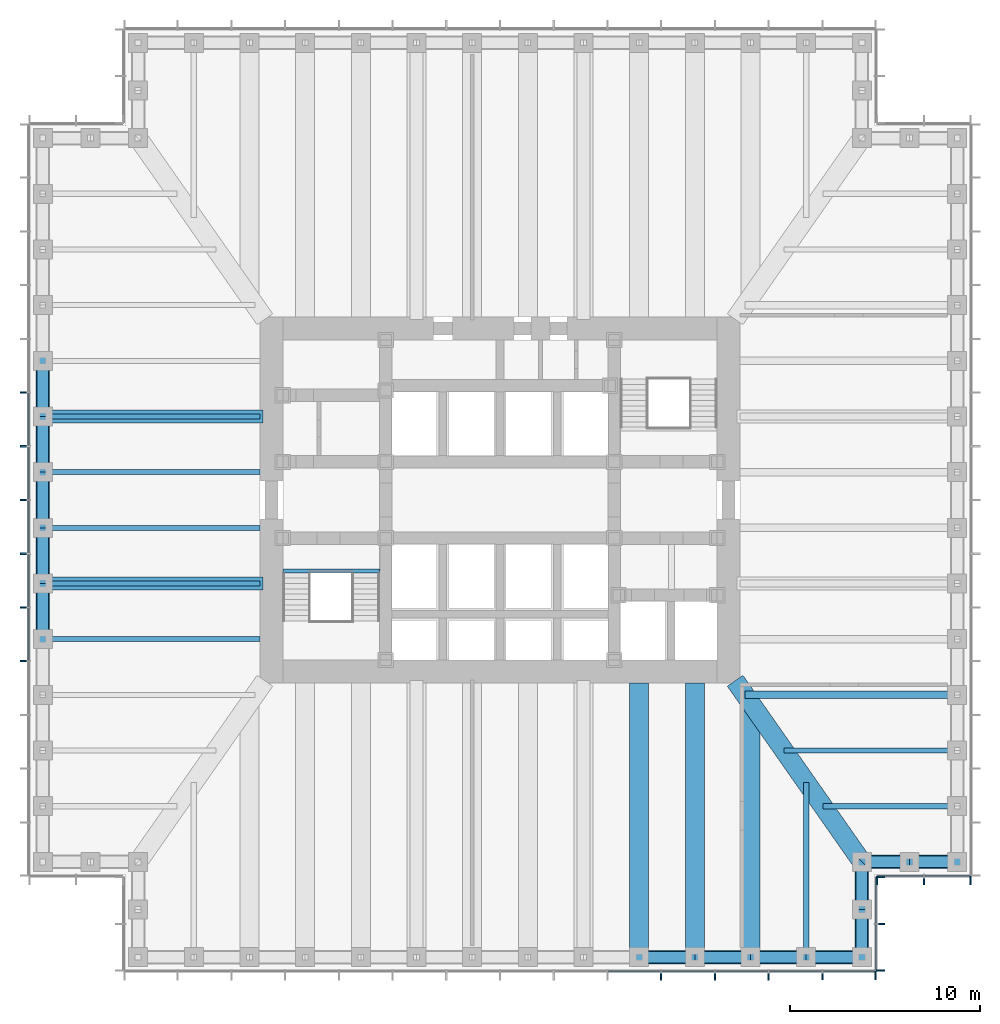
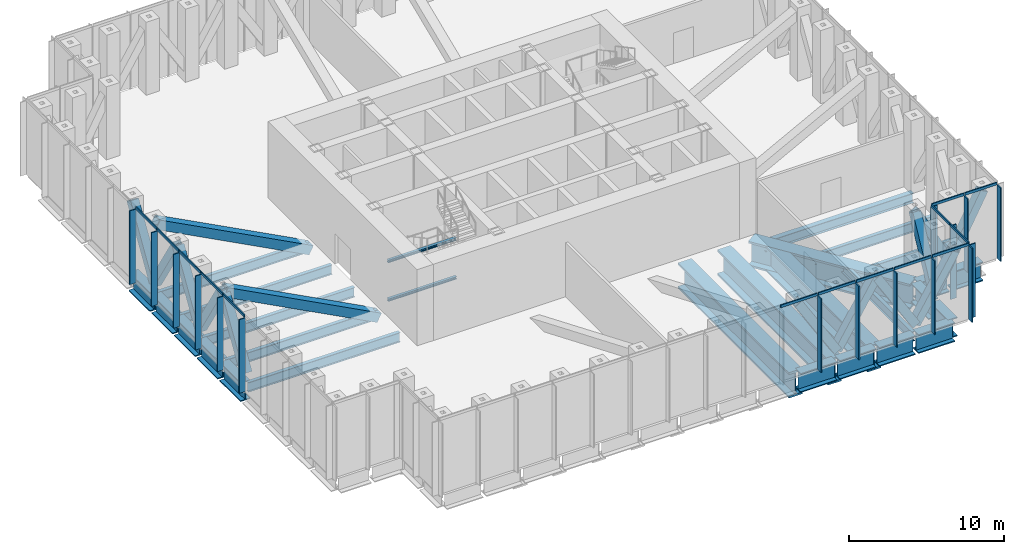
# One storey, part 3 of 15: 46 members, 28 beams, 4 elements without a shape of their own.
"""IFC4 building model written with IfcOpenShell, lengths in metres."""

from ifc_helpers import new_model, si_unit, direction, frame, origin, origin_2d, place, context, subcontext, project, spatial, rectangle, hollow_rectangle, i_section, extrude, material, material_profile, profile_set, type_object, element, aggregate, save


model = new_model("IFC4")

# Units and contexts
model_context = context("Model", 3, precision=1e-05, world=origin(), true_north=direction((0.0, 1.0)))
body_context = subcontext(model_context, "Body", "Model", "MODEL_VIEW")
ifc_project = project(units=[si_unit("LENGTHUNIT", "METRE"), si_unit("AREAUNIT", "SQUARE_METRE"), si_unit("VOLUMEUNIT", "CUBIC_METRE"), si_unit("PLANEANGLEUNIT", "RADIAN"), si_unit("MASSUNIT", "GRAM", prefix="KILO")], contexts=[model_context])

# Site, building, storey
site_placement = place(None, origin())
site = spatial("IfcSite", under=ifc_project, at=site_placement, CompositionType="ELEMENT")
building_placement = place(site_placement, origin())
building = spatial("IfcBuilding", under=site, at=building_placement, Name="Daluyong Arena Tower", CompositionType="ELEMENT")
storey_placement = place(building_placement, frame((0.0, 0.0, 102.10009765625)))
storey = spatial("IfcBuildingStorey", under=building, at=storey_placement, Name="L22", CompositionType="ELEMENT", Elevation=102.10009765625)

# Members
ifc_material_1 = material(Name="Steel ASTM A572 Grade 50", Category="steel")
ifc_material_profile_1 = material_profile(ifc_material_1, hollow_rectangle(XDim=0.60009765625, YDim=0.60009765625, WallThickness=0.05, at=origin_2d()))
ifc_profile_set_1 = profile_set([ifc_material_profile_1], Name="Steel ASTM A572 Grade 50")
member_type_1 = type_object("IfcMemberType", Name="Belt truss diagonal BX600X50", PredefinedType="BRACE", material=ifc_profile_set_1)
for number, where, z_axis, x_axis, name in (
    (1, (66.230712890625, 56.0, 0.5), (-0.524099867959, 0.0, 0.851656813749), (0.0, -1.0, 0.0), "belt truss diagonal BT1"),
    (2, (66.230712890625, 56.0, 0.5), (0.524099867959, 0.0, 0.851656813749), (0.0, 1.0, 0.0), "belt truss diagonal BT1"),
    (3, (72.076904296875, 56.0, 0.5), (-0.524099867959, 0.0, 0.851656813749), (0.0, -1.0, 0.0), "belt truss diagonal BT1"),
    (4, (72.076904296875, 56.0, 0.5), (0.524099867959, 0.0, 0.851656813749), (0.0, 1.0, 0.0), "belt truss diagonal BT1"),
):
    element("IfcMember", number, at=place(storey_placement, frame(where, z_axis=z_axis, x_axis=x_axis)), inside=storey, type_object=member_type_1, Name=name, PredefinedType="BRACE", context=body_context, shape_type="SweptSolid", body=[
        extrude(hollow_rectangle(XDim=0.60009765625, YDim=0.60009765625, WallThickness=0.05, at=origin_2d()), origin(), (0.0, 0.0, 1.0), 5.577392578125),
    ])
for number, where, z_axis, x_axis, name in (
    (5, (75.0, 58.5, 0.5), (0.0, -0.465746432833, 0.884918222382), (1.0, 0.0, 0.0), "belt truss diagonal BT1"),
    (6, (75.0, 58.5, 0.5), (0.0, 0.465746432833, 0.884918222382), (-1.0, 0.0, 0.0), "belt truss diagonal BT1"),
    (7, (77.5, 61.0, 0.5), (-0.465746432833, 0.0, 0.884918222382), (0.0, -1.0, 0.0), "belt truss diagonal BT1"),
    (8, (77.5, 61.0, 0.5), (0.465746432833, 0.0, 0.884918222382), (0.0, 1.0, 0.0), "belt truss diagonal BT1"),
):
    element("IfcMember", number, at=place(storey_placement, frame(where, z_axis=z_axis, x_axis=x_axis)), inside=storey, type_object=member_type_1, Name=name, PredefinedType="BRACE", context=body_context, shape_type="SweptSolid", body=[
        extrude(hollow_rectangle(XDim=0.60009765625, YDim=0.60009765625, WallThickness=0.05, at=origin_2d()), origin(), (0.0, 0.0, 1.0), 5.36767578125),
    ])
for number, where, z_axis, x_axis, name in (
    (9, (32.0, 84.384521484375, 0.5), (0.0, 0.524099867959, 0.851656813749), (-1.0, 0.0, 0.0), "belt truss diagonal BT1"),
    (10, (32.0, 84.384521484375, 0.5), (0.0, -0.524099867959, 0.851656813749), (1.0, 0.0, 0.0), "belt truss diagonal BT1"),
):
    element("IfcMember", number, at=place(storey_placement, frame(where, z_axis=z_axis, x_axis=x_axis)), inside=storey, type_object=member_type_1, Name=name, PredefinedType="BRACE", context=body_context, shape_type="SweptSolid", body=[
        extrude(hollow_rectangle(XDim=0.60009765625, YDim=0.60009765625, WallThickness=0.05, at=origin_2d()), origin(), (0.0, 0.0, 1.0), 5.577392578125),
    ])
member_1_placement = place(storey_placement, frame((32.0, 78.53857421875, 0.5), z_axis=(0.0, 0.524068117116, 0.851676352039), x_axis=(-1.0, 0.0, 0.0)))
element("IfcMember", 11, at=member_1_placement, inside=storey, type_object=member_type_1, Name="belt truss diagonal BT1", PredefinedType="BRACE", context=body_context, shape_type="SweptSolid", body=[
    extrude(hollow_rectangle(XDim=0.60009765625, YDim=0.60009765625, WallThickness=0.05, at=origin_2d()), origin(), (0.0, 0.0, 1.0), 5.5771484375),
])
for number, where, z_axis, x_axis, name in (
    (12, (32.0, 78.53857421875, 0.5), (0.0, -0.524099867959, 0.851656813749), (1.0, 0.0, 0.0), "belt truss diagonal BT1"),
    (13, (32.0, 72.6923828125, 0.5), (0.0, 0.524099867959, 0.851656813749), (-1.0, 0.0, 0.0), "belt truss diagonal BT1"),
):
    element("IfcMember", number, at=place(storey_placement, frame(where, z_axis=z_axis, x_axis=x_axis)), inside=storey, type_object=member_type_1, Name=name, PredefinedType="BRACE", context=body_context, shape_type="SweptSolid", body=[
        extrude(hollow_rectangle(XDim=0.60009765625, YDim=0.60009765625, WallThickness=0.05, at=origin_2d()), origin(), (0.0, 0.0, 1.0), 5.577392578125),
    ])

# Curtain wall, members
ifc_material_2 = material(Name="Bronze anodised aluminium and glass", Category="aluminium")
curtain_wall_type = type_object("IfcCurtainWallType", Name="Curtain wall CW6", PredefinedType="USERDEFINED", material=ifc_material_2)
curtain_wall_1_placement = place(storey_placement, origin())
curtain_wall_1 = element("IfcCurtainWall", 14, at=curtain_wall_1_placement, inside=storey, type_object=curtain_wall_type, Name="curtain wall L22 S", ObjectType="UNITISED CURTAIN WALL", PredefinedType="USERDEFINED")
ifc_material_3 = material(Name="Bronze anodised aluminium fin", Category="aluminium")
ifc_material_profile_2 = material_profile(ifc_material_3, rectangle(XDim=0.449951171875, YDim=0.080078125, at=origin_2d()))
ifc_profile_set_2 = profile_set([ifc_material_profile_2], Name="Bronze anodised aluminium fin")
member_type_2 = type_object("IfcMemberType", Name="CW6 bronze fin 450x80", PredefinedType="MULLION", material=ifc_profile_set_2)
member_2_placement = place(storey_placement, frame((64.46435546875, 55.02490234375, 0.0), z_axis=(0.0, 0.0, 1.0), x_axis=(0.0, 1.0, 0.0)))
member_2 = element("IfcMember", 15, at=member_2_placement, type_object=member_type_2, Name="curtain wall L22 S fin 11", PredefinedType="MULLION", context=body_context, shape_type="SweptSolid", body=[
    extrude(rectangle(XDim=0.449951171875, YDim=0.080078125, at=origin_2d()), origin(), (0.0, 0.0, 1.0), 5.7998046875),
])
member_3_placement = place(storey_placement, frame((67.28564453125, 55.02490234375, 0.0), z_axis=(0.0, 0.0, 1.0), x_axis=(0.0, 1.0, 0.0)))
member_3 = element("IfcMember", 16, at=member_3_placement, type_object=member_type_2, Name="curtain wall L22 S fin 12", PredefinedType="MULLION", context=body_context, shape_type="SweptSolid", body=[
    extrude(rectangle(XDim=0.449951171875, YDim=0.080078125, at=origin_2d()), origin(), (0.0, 0.0, 1.0), 5.7998046875),
])
member_4_placement = place(storey_placement, frame((70.107177734375, 55.02490234375, 0.0), z_axis=(0.0, 0.0, 1.0), x_axis=(0.0, 1.0, 0.0)))
member_4 = element("IfcMember", 17, at=member_4_placement, type_object=member_type_2, Name="curtain wall L22 S fin 13", PredefinedType="MULLION", context=body_context, shape_type="SweptSolid", body=[
    extrude(rectangle(XDim=0.449951171875, YDim=0.080078125, at=origin_2d()), origin(), (0.0, 0.0, 1.0), 5.7998046875),
])
member_5_placement = place(storey_placement, frame((72.928466796875, 55.02490234375, 0.0), z_axis=(0.0, 0.0, 1.0), x_axis=(0.0, 1.0, 0.0)))
member_5 = element("IfcMember", 18, at=member_5_placement, type_object=member_type_2, Name="curtain wall L22 S fin 14", PredefinedType="MULLION", context=body_context, shape_type="SweptSolid", body=[
    extrude(rectangle(XDim=0.449951171875, YDim=0.080078125, at=origin_2d()), origin(), (0.0, 0.0, 1.0), 5.7998046875),
])
member_6_placement = place(storey_placement, frame((75.7099609375, 55.02490234375, 0.0), z_axis=(0.0, 0.0, 1.0), x_axis=(0.0, 1.0, 0.0)))
member_6 = element("IfcMember", 19, at=member_6_placement, type_object=member_type_2, Name="curtain wall L22 S fin 15", PredefinedType="MULLION", context=body_context, shape_type="SweptSolid", body=[
    extrude(rectangle(XDim=0.449951171875, YDim=0.080078125, at=origin_2d()), origin(), (0.0, 0.0, 1.0), 5.7998046875),
])

curtain_wall_2_placement = place(storey_placement, origin())
curtain_wall_2 = element("IfcCurtainWall", 20, at=curtain_wall_2_placement, inside=storey, type_object=curtain_wall_type, Name="curtain wall L22 SE-E", ObjectType="UNITISED CURTAIN WALL", PredefinedType="USERDEFINED")
member_7_placement = place(storey_placement, frame((75.97509765625, 55.2900390625, 0.0), z_axis=(0.0, 0.0, 1.0), x_axis=(-1.0, 0.0, 0.0)))
member_7 = element("IfcMember", 21, at=member_7_placement, type_object=member_type_2, Name="curtain wall L22 SE-E fin 1", PredefinedType="MULLION", context=body_context, shape_type="SweptSolid", body=[
    extrude(rectangle(XDim=0.449951171875, YDim=0.080078125, at=origin_2d()), origin(), (0.0, 0.0, 1.0), 5.7998046875),
])
member_8_placement = place(storey_placement, frame((75.97509765625, 57.75, 0.0), z_axis=(0.0, 0.0, 1.0), x_axis=(-1.0, 0.0, 0.0)))
member_8 = element("IfcMember", 22, at=member_8_placement, type_object=member_type_2, Name="curtain wall L22 SE-E fin 2", PredefinedType="MULLION", context=body_context, shape_type="SweptSolid", body=[
    extrude(rectangle(XDim=0.449951171875, YDim=0.080078125, at=origin_2d()), origin(), (0.0, 0.0, 1.0), 5.7998046875),
])
member_9_placement = place(storey_placement, frame((75.97509765625, 60.2099609375, 0.0), z_axis=(0.0, 0.0, 1.0), x_axis=(-1.0, 0.0, 0.0)))
member_9 = element("IfcMember", 23, at=member_9_placement, type_object=member_type_2, Name="curtain wall L22 SE-E fin 3", PredefinedType="MULLION", context=body_context, shape_type="SweptSolid", body=[
    extrude(rectangle(XDim=0.449951171875, YDim=0.080078125, at=origin_2d()), origin(), (0.0, 0.0, 1.0), 5.7998046875),
])

curtain_wall_3_placement = place(storey_placement, origin())
curtain_wall_3 = element("IfcCurtainWall", 24, at=curtain_wall_3_placement, inside=storey, type_object=curtain_wall_type, Name="curtain wall L22 SE-S", ObjectType="UNITISED CURTAIN WALL", PredefinedType="USERDEFINED")
member_10_placement = place(storey_placement, frame((75.7900390625, 60.02490234375, 0.0), z_axis=(0.0, 0.0, 1.0), x_axis=(0.0, 1.0, 0.0)))
member_10 = element("IfcMember", 25, at=member_10_placement, type_object=member_type_2, Name="curtain wall L22 SE-S fin 1", PredefinedType="MULLION", context=body_context, shape_type="SweptSolid", body=[
    extrude(rectangle(XDim=0.449951171875, YDim=0.080078125, at=origin_2d()), origin(), (0.0, 0.0, 1.0), 5.7998046875),
])
member_11_placement = place(storey_placement, frame((78.25, 60.02490234375, 0.0), z_axis=(0.0, 0.0, 1.0), x_axis=(0.0, 1.0, 0.0)))
member_11 = element("IfcMember", 26, at=member_11_placement, type_object=member_type_2, Name="curtain wall L22 SE-S fin 2", PredefinedType="MULLION", context=body_context, shape_type="SweptSolid", body=[
    extrude(rectangle(XDim=0.449951171875, YDim=0.080078125, at=origin_2d()), origin(), (0.0, 0.0, 1.0), 5.7998046875),
])
member_12_placement = place(storey_placement, frame((80.7099609375, 60.02490234375, 0.0), z_axis=(0.0, 0.0, 1.0), x_axis=(0.0, 1.0, 0.0)))
member_12 = element("IfcMember", 27, at=member_12_placement, type_object=member_type_2, Name="curtain wall L22 SE-S fin 3", PredefinedType="MULLION", context=body_context, shape_type="SweptSolid", body=[
    extrude(rectangle(XDim=0.449951171875, YDim=0.080078125, at=origin_2d()), origin(), (0.0, 0.0, 1.0), 5.7998046875),
])

curtain_wall_4_placement = place(storey_placement, origin())
curtain_wall_4 = element("IfcCurtainWall", 28, at=curtain_wall_4_placement, inside=storey, type_object=curtain_wall_type, Name="curtain wall L22 W", ObjectType="UNITISED CURTAIN WALL", PredefinedType="USERDEFINED")
member_13_placement = place(storey_placement, frame((31.02490234375, 85.642822265625, 0.0), z_axis=(0.0, 0.0, 1.0), x_axis=(1.0, 0.0, 0.0)))
member_13 = element("IfcMember", 29, at=member_13_placement, type_object=member_type_2, Name="curtain wall L22 W fin 6", PredefinedType="MULLION", context=body_context, shape_type="SweptSolid", body=[
    extrude(rectangle(XDim=0.449951171875, YDim=0.080078125, at=origin_2d()), origin(), (0.0, 0.0, 1.0), 5.7998046875),
])
member_14_placement = place(storey_placement, frame((31.02490234375, 82.821533203125, 0.0), z_axis=(0.0, 0.0, 1.0), x_axis=(1.0, 0.0, 0.0)))
member_14 = element("IfcMember", 30, at=member_14_placement, type_object=member_type_2, Name="curtain wall L22 W fin 7", PredefinedType="MULLION", context=body_context, shape_type="SweptSolid", body=[
    extrude(rectangle(XDim=0.449951171875, YDim=0.080078125, at=origin_2d()), origin(), (0.0, 0.0, 1.0), 5.7998046875),
])
member_15_placement = place(storey_placement, frame((31.02490234375, 80.0, 0.0), z_axis=(0.0, 0.0, 1.0), x_axis=(1.0, 0.0, 0.0)))
member_15 = element("IfcMember", 31, at=member_15_placement, type_object=member_type_2, Name="curtain wall L22 W fin 8", PredefinedType="MULLION", context=body_context, shape_type="SweptSolid", body=[
    extrude(rectangle(XDim=0.449951171875, YDim=0.080078125, at=origin_2d()), origin(), (0.0, 0.0, 1.0), 5.7998046875),
])
member_16_placement = place(storey_placement, frame((31.02490234375, 77.178466796875, 0.0), z_axis=(0.0, 0.0, 1.0), x_axis=(1.0, 0.0, 0.0)))
member_16 = element("IfcMember", 32, at=member_16_placement, type_object=member_type_2, Name="curtain wall L22 W fin 9", PredefinedType="MULLION", context=body_context, shape_type="SweptSolid", body=[
    extrude(rectangle(XDim=0.449951171875, YDim=0.080078125, at=origin_2d()), origin(), (0.0, 0.0, 1.0), 5.7998046875),
])
member_17_placement = place(storey_placement, frame((31.02490234375, 74.357177734375, 0.0), z_axis=(0.0, 0.0, 1.0), x_axis=(1.0, 0.0, 0.0)))
member_17 = element("IfcMember", 33, at=member_17_placement, type_object=member_type_2, Name="curtain wall L22 W fin 10", PredefinedType="MULLION", context=body_context, shape_type="SweptSolid", body=[
    extrude(rectangle(XDim=0.449951171875, YDim=0.080078125, at=origin_2d()), origin(), (0.0, 0.0, 1.0), 5.7998046875),
])
member_18_placement = place(storey_placement, frame((31.02490234375, 71.53564453125, 0.0), z_axis=(0.0, 0.0, 1.0), x_axis=(1.0, 0.0, 0.0)))
member_18 = element("IfcMember", 34, at=member_18_placement, type_object=member_type_2, Name="curtain wall L22 W fin 11", PredefinedType="MULLION", context=body_context, shape_type="SweptSolid", body=[
    extrude(rectangle(XDim=0.449951171875, YDim=0.080078125, at=origin_2d()), origin(), (0.0, 0.0, 1.0), 5.7998046875),
])

# Member
ifc_material_4 = material(Name="Bronze anodised aluminium", Category="aluminium")
ifc_material_profile_3 = material_profile(ifc_material_4, rectangle(XDim=0.080078125, YDim=0.199951171875, at=origin_2d()))
ifc_profile_set_3 = profile_set([ifc_material_profile_3], Name="Bronze anodised aluminium")
member_type_3 = type_object("IfcMemberType", Name="CW6 stack transom 200x80", PredefinedType="USERDEFINED", material=ifc_profile_set_3)
member_19_placement = place(storey_placement, frame((61.682861328125, 55.25, 5.89990234375), z_axis=(1.0, 0.0, 0.0), x_axis=(0.0, 1.0, 0.0)))
member_19 = element("IfcMember", 35, at=member_19_placement, type_object=member_type_3, Name="curtain wall L22 S transom 10", ObjectType="TRANSOM", PredefinedType="USERDEFINED", context=body_context, shape_type="SweptSolid", body=[
    extrude(rectangle(XDim=0.080078125, YDim=0.199951171875, at=origin_2d()), origin(), (0.0, 0.0, 1.0), 2.741455078125),
])

member_20_placement = place(storey_placement, frame((64.50439453125, 55.25, 5.89990234375), z_axis=(1.0, 0.0, 0.0), x_axis=(0.0, 1.0, 0.0)))
member_20 = element("IfcMember", 36, at=member_20_placement, type_object=member_type_3, Name="curtain wall L22 S transom 11", ObjectType="TRANSOM", PredefinedType="USERDEFINED", context=body_context, shape_type="SweptSolid", body=[
    extrude(rectangle(XDim=0.080078125, YDim=0.199951171875, at=origin_2d()), origin(), (0.0, 0.0, 1.0), 2.7412109375),
])

member_21_placement = place(storey_placement, frame((67.32568359375, 55.25, 5.89990234375), z_axis=(1.0, 0.0, 0.0), x_axis=(0.0, 1.0, 0.0)))
member_21 = element("IfcMember", 37, at=member_21_placement, type_object=member_type_3, Name="curtain wall L22 S transom 12", ObjectType="TRANSOM", PredefinedType="USERDEFINED", context=body_context, shape_type="SweptSolid", body=[
    extrude(rectangle(XDim=0.080078125, YDim=0.199951171875, at=origin_2d()), origin(), (0.0, 0.0, 1.0), 2.741455078125),
])

member_22_placement = place(storey_placement, frame((70.147216796875, 55.25, 5.89990234375), z_axis=(1.0, 0.0, 0.0), x_axis=(0.0, 1.0, 0.0)))
member_22 = element("IfcMember", 38, at=member_22_placement, type_object=member_type_3, Name="curtain wall L22 S transom 13", ObjectType="TRANSOM", PredefinedType="USERDEFINED", context=body_context, shape_type="SweptSolid", body=[
    extrude(rectangle(XDim=0.080078125, YDim=0.199951171875, at=origin_2d()), origin(), (0.0, 0.0, 1.0), 2.741455078125),
])

member_23_placement = place(storey_placement, frame((72.968505859375, 55.25, 5.89990234375), z_axis=(1.0, 0.0, 0.0), x_axis=(0.0, 1.0, 0.0)))
member_23 = element("IfcMember", 39, at=member_23_placement, type_object=member_type_3, Name="curtain wall L22 S transom 14", ObjectType="TRANSOM", PredefinedType="USERDEFINED", context=body_context, shape_type="SweptSolid", body=[
    extrude(rectangle(XDim=0.080078125, YDim=0.199951171875, at=origin_2d()), origin(), (0.0, 0.0, 1.0), 2.701416015625),
])

aggregate(curtain_wall_1, [member_2, member_3, member_4, member_5, member_6, member_19, member_20, member_21, member_22, member_23])

member_24_placement = place(storey_placement, frame((75.75, 55.330078125, 5.89990234375), z_axis=(0.0, 1.0, 0.0), x_axis=(-1.0, 0.0, 0.0)))
member_24 = element("IfcMember", 40, at=member_24_placement, type_object=member_type_3, Name="curtain wall L22 SE-E transom 1", ObjectType="TRANSOM", PredefinedType="USERDEFINED", context=body_context, shape_type="SweptSolid", body=[
    extrude(rectangle(XDim=0.080078125, YDim=0.199951171875, at=origin_2d()), origin(), (0.0, 0.0, 1.0), 2.3798828125),
])

member_25_placement = place(storey_placement, frame((75.75, 57.7900390625, 5.89990234375), z_axis=(0.0, 1.0, 0.0), x_axis=(-1.0, 0.0, 0.0)))
member_25 = element("IfcMember", 41, at=member_25_placement, type_object=member_type_3, Name="curtain wall L22 SE-E transom 2", ObjectType="TRANSOM", PredefinedType="USERDEFINED", context=body_context, shape_type="SweptSolid", body=[
    extrude(rectangle(XDim=0.080078125, YDim=0.199951171875, at=origin_2d()), origin(), (0.0, 0.0, 1.0), 2.3798828125),
])

aggregate(curtain_wall_2, [member_7, member_8, member_9, member_24, member_25])

member_26_placement = place(storey_placement, frame((75.830078125, 60.25, 5.89990234375), z_axis=(1.0, 0.0, 0.0), x_axis=(0.0, 1.0, 0.0)))
member_26 = element("IfcMember", 42, at=member_26_placement, type_object=member_type_3, Name="curtain wall L22 SE-S transom 1", ObjectType="TRANSOM", PredefinedType="USERDEFINED", context=body_context, shape_type="SweptSolid", body=[
    extrude(rectangle(XDim=0.080078125, YDim=0.199951171875, at=origin_2d()), origin(), (0.0, 0.0, 1.0), 2.3798828125),
])

member_27_placement = place(storey_placement, frame((78.2900390625, 60.25, 5.89990234375), z_axis=(1.0, 0.0, 0.0), x_axis=(0.0, 1.0, 0.0)))
member_27 = element("IfcMember", 43, at=member_27_placement, type_object=member_type_3, Name="curtain wall L22 SE-S transom 2", ObjectType="TRANSOM", PredefinedType="USERDEFINED", context=body_context, shape_type="SweptSolid", body=[
    extrude(rectangle(XDim=0.080078125, YDim=0.199951171875, at=origin_2d()), origin(), (0.0, 0.0, 1.0), 2.3798828125),
])

aggregate(curtain_wall_3, [member_10, member_11, member_12, member_26, member_27])

member_28_placement = place(storey_placement, frame((31.25, 85.602783203125, 5.89990234375), z_axis=(0.0, -1.0, 0.0), x_axis=(1.0, 0.0, 0.0)))
member_28 = element("IfcMember", 44, at=member_28_placement, type_object=member_type_3, Name="curtain wall L22 W transom 6", ObjectType="TRANSOM", PredefinedType="USERDEFINED", context=body_context, shape_type="SweptSolid", body=[
    extrude(rectangle(XDim=0.080078125, YDim=0.199951171875, at=origin_2d()), origin(), (0.0, 0.0, 1.0), 2.741455078125),
])

member_29_placement = place(storey_placement, frame((31.25, 82.781494140625, 5.89990234375), z_axis=(0.0, -1.0, 0.0), x_axis=(1.0, 0.0, 0.0)))
member_29 = element("IfcMember", 45, at=member_29_placement, type_object=member_type_3, Name="curtain wall L22 W transom 7", ObjectType="TRANSOM", PredefinedType="USERDEFINED", context=body_context, shape_type="SweptSolid", body=[
    extrude(rectangle(XDim=0.080078125, YDim=0.199951171875, at=origin_2d()), origin(), (0.0, 0.0, 1.0), 2.741455078125),
])

member_30_placement = place(storey_placement, frame((31.25, 79.9599609375, 5.89990234375), z_axis=(0.0, -1.0, 0.0), x_axis=(1.0, 0.0, 0.0)))
member_30 = element("IfcMember", 46, at=member_30_placement, type_object=member_type_3, Name="curtain wall L22 W transom 8", ObjectType="TRANSOM", PredefinedType="USERDEFINED", context=body_context, shape_type="SweptSolid", body=[
    extrude(rectangle(XDim=0.080078125, YDim=0.199951171875, at=origin_2d()), origin(), (0.0, 0.0, 1.0), 2.741455078125),
])

member_31_placement = place(storey_placement, frame((31.25, 77.138671875, 5.89990234375), z_axis=(0.0, -1.0, 0.0), x_axis=(1.0, 0.0, 0.0)))
member_31 = element("IfcMember", 47, at=member_31_placement, type_object=member_type_3, Name="curtain wall L22 W transom 9", ObjectType="TRANSOM", PredefinedType="USERDEFINED", context=body_context, shape_type="SweptSolid", body=[
    extrude(rectangle(XDim=0.080078125, YDim=0.199951171875, at=origin_2d()), origin(), (0.0, 0.0, 1.0), 2.741455078125),
])

member_32_placement = place(storey_placement, frame((31.25, 74.317138671875, 5.89990234375), z_axis=(0.0, -1.0, 0.0), x_axis=(1.0, 0.0, 0.0)))
member_32 = element("IfcMember", 48, at=member_32_placement, type_object=member_type_3, Name="curtain wall L22 W transom 10", ObjectType="TRANSOM", PredefinedType="USERDEFINED", context=body_context, shape_type="SweptSolid", body=[
    extrude(rectangle(XDim=0.080078125, YDim=0.199951171875, at=origin_2d()), origin(), (0.0, 0.0, 1.0), 2.741455078125),
])

aggregate(curtain_wall_4, [member_13, member_14, member_15, member_16, member_17, member_18, member_28, member_29, member_30, member_31, member_32])

# Beams
ifc_material_5 = material(Name="Steel ASTM A588 Grade 50", Category="steel")
ifc_material_profile_4 = material_profile(ifc_material_5, i_section(OverallWidth=1.0, OverallDepth=2.0, WebThickness=0.06, FlangeThickness=0.15, at=origin_2d()))
ifc_profile_set_4 = profile_set([ifc_material_profile_4], Name="Steel ASTM A588 Grade 50")
beam_type_1 = type_object("IfcBeamType", Name="Corner girder PG2000X1000", PredefinedType="BEAM", material=ifc_profile_set_4)
beam_1_placement = place(storey_placement, frame((74.93408203125, 61.09423828125, -1.25), z_axis=(-0.573466621875, 0.819228926244, 0.0), x_axis=(-0.819228926244, -0.573466621875, 0.0)))
element("IfcBeam", 49, at=beam_1_placement, inside=storey, type_object=beam_type_1, Name="corner girder DG3", PredefinedType="BEAM", context=body_context, shape_type="SweptSolid", body=[
    extrude(i_section(OverallWidth=1.0, OverallDepth=2.0, WebThickness=0.06, FlangeThickness=0.15, at=origin_2d()), origin(), (0.0, 0.0, 1.0), 11.49169921875),
])
ifc_material_6 = material(Name="Steel ASTM A588 Grade 50", Category="steel")
ifc_material_profile_5 = material_profile(ifc_material_6, i_section(OverallWidth=1.0, OverallDepth=2.0, WebThickness=0.06, FlangeThickness=0.15, at=origin_2d()))
ifc_profile_set_5 = profile_set([ifc_material_profile_5], Name="Steel ASTM A588 Grade 50")
beam_type_2 = type_object("IfcBeamType", Name="Floor beam PG2000X1000", PredefinedType="BEAM", material=ifc_profile_set_5)
for number, where, z_axis, x_axis, name in (
    (50, (63.3076171875, 56.114990234375, -1.25), (0.0, 1.0, 0.0), (-1.0, 0.0, 0.0), "floor beam FB5"),
    (51, (66.230712890625, 56.114990234375, -1.25), (0.0, 1.0, 0.0), (-1.0, 0.0, 0.0), "floor beam FB5"),
):
    element("IfcBeam", number, at=place(storey_placement, frame(where, z_axis=z_axis, x_axis=x_axis)), inside=storey, type_object=beam_type_2, Name=name, PredefinedType="BEAM", context=body_context, shape_type="SweptSolid", body=[
        extrude(i_section(OverallWidth=1.0, OverallDepth=2.0, WebThickness=0.06, FlangeThickness=0.15, at=origin_2d()), origin(), (0.0, 0.0, 1.0), 14.284912109375),
    ])
beam_2_placement = place(storey_placement, frame((69.15380859375, 56.114990234375, -1.25), z_axis=(0.0, 1.0, 0.0), x_axis=(-1.0, 0.0, 0.0)))
element("IfcBeam", 52, at=beam_2_placement, inside=storey, type_object=beam_type_2, Name="floor beam FB5", PredefinedType="BEAM", context=body_context, shape_type="SweptSolid", body=[
    extrude(i_section(OverallWidth=1.0, OverallDepth=2.0, WebThickness=0.06, FlangeThickness=0.15, at=origin_2d()), origin(), (0.0, 0.0, 1.0), 13.236572265625),
])
ifc_material_7 = material(Name="Steel ASTM A992 Grade 50", Category="steel")
ifc_material_profile_6 = material_profile(ifc_material_7, i_section(OverallWidth=0.2666015625, OverallDepth=0.761962890625, WebThickness=0.014404296875, FlangeThickness=0.021484375, at=origin_2d()))
ifc_profile_set_6 = profile_set([ifc_material_profile_6], Name="Steel ASTM A992 Grade 50")
beam_type_3 = type_object("IfcBeamType", Name="Floor beam W30X116", PredefinedType="BEAM", material=ifc_profile_set_6)
beam_3_placement = place(storey_placement, frame((72.076904296875, 56.114990234375, -0.631103515625), z_axis=(0.0, 1.0, 0.0), x_axis=(-1.0, 0.0, 0.0)))
element("IfcBeam", 53, at=beam_3_placement, inside=storey, type_object=beam_type_3, Name="floor beam FB4", PredefinedType="BEAM", context=body_context, shape_type="SweptSolid", body=[
    extrude(i_section(OverallWidth=0.2666015625, OverallDepth=0.761962890625, WebThickness=0.014404296875, FlangeThickness=0.021484375, at=origin_2d()), origin(), (0.0, 0.0, 1.0), 9.060791015625),
])
beam_4_placement = place(storey_placement, frame((79.885009765625, 63.923095703125, -0.631103515625), z_axis=(-1.0, 0.0, 0.0), x_axis=(0.0, -1.0, 0.0)))
element("IfcBeam", 54, at=beam_4_placement, inside=storey, type_object=beam_type_3, Name="floor beam FB4", PredefinedType="BEAM", context=body_context, shape_type="SweptSolid", body=[
    extrude(i_section(OverallWidth=0.2666015625, OverallDepth=0.761962890625, WebThickness=0.014404296875, FlangeThickness=0.021484375, at=origin_2d()), origin(), (0.0, 0.0, 1.0), 6.93115234375),
])
beam_5_placement = place(storey_placement, frame((79.885009765625, 66.84619140625, -0.631103515625), z_axis=(-1.0, 0.0, 0.0), x_axis=(0.0, -1.0, 0.0)))
element("IfcBeam", 55, at=beam_5_placement, inside=storey, type_object=beam_type_3, Name="floor beam FB4", PredefinedType="BEAM", context=body_context, shape_type="SweptSolid", body=[
    extrude(i_section(OverallWidth=0.2666015625, OverallDepth=0.761962890625, WebThickness=0.014404296875, FlangeThickness=0.021484375, at=origin_2d()), origin(), (0.0, 0.0, 1.0), 8.977294921875),
])
for number, where, z_axis, x_axis, name in (
    (56, (32.114990234375, 84.384521484375, -0.631103515625), (1.0, 0.0, 0.0), (0.0, 1.0, 0.0), "floor beam FB4"),
    (57, (32.114990234375, 81.46142578125, -0.631103515625), (1.0, 0.0, 0.0), (0.0, 1.0, 0.0), "floor beam FB4"),
    (58, (32.114990234375, 78.53857421875, -0.631103515625), (1.0, 0.0, 0.0), (0.0, 1.0, 0.0), "floor beam FB4"),
    (59, (32.114990234375, 75.615478515625, -0.631103515625), (1.0, 0.0, 0.0), (0.0, 1.0, 0.0), "floor beam FB4"),
    (60, (32.114990234375, 72.6923828125, -0.631103515625), (1.0, 0.0, 0.0), (0.0, 1.0, 0.0), "floor beam FB4"),
):
    element("IfcBeam", number, at=place(storey_placement, frame(where, z_axis=z_axis, x_axis=x_axis)), inside=storey, type_object=beam_type_3, Name=name, PredefinedType="BEAM", context=body_context, shape_type="SweptSolid", body=[
        extrude(i_section(OverallWidth=0.2666015625, OverallDepth=0.761962890625, WebThickness=0.014404296875, FlangeThickness=0.021484375, at=origin_2d()), origin(), (0.0, 0.0, 1.0), 11.284912109375),
    ])
ifc_material_8 = material(Name="Steel ASTM A992 Grade 50", Category="steel")
ifc_material_profile_7 = material_profile(ifc_material_8, i_section(OverallWidth=0.381103515625, OverallDepth=0.772216796875, WebThickness=0.0166015625, FlangeThickness=0.027099609375, at=origin_2d()))
ifc_profile_set_7 = profile_set([ifc_material_profile_7], Name="Steel ASTM A992 Grade 50")
beam_type_4 = type_object("IfcBeamType", Name="Floor beam W30X173", PredefinedType="BEAM", material=ifc_profile_set_7)
beam_6_placement = place(storey_placement, frame((79.885009765625, 69.769287109375, -0.63623046875), z_axis=(-1.0, 0.0, 0.0), x_axis=(0.0, -1.0, 0.0)))
element("IfcBeam", 61, at=beam_6_placement, inside=storey, type_object=beam_type_4, Name="floor beam FB2", PredefinedType="BEAM", context=body_context, shape_type="SweptSolid", body=[
    extrude(i_section(OverallWidth=0.381103515625, OverallDepth=0.772216796875, WebThickness=0.0166015625, FlangeThickness=0.027099609375, at=origin_2d()), origin(), (0.0, 0.0, 1.0), 11.0234375),
])

# Members
ifc_material_9 = material(Name="Steel ASTM A572 Grade 50", Category="steel")
ifc_material_profile_8 = material_profile(ifc_material_9, hollow_rectangle(XDim=0.699951171875, YDim=0.699951171875, WallThickness=0.06, at=origin_2d()))
ifc_profile_set_8 = profile_set([ifc_material_profile_8], Name="Steel ASTM A572 Grade 50")
member_type_4 = type_object("IfcMemberType", Name="Outrigger diagonal BX700X60", PredefinedType="BRACE", material=ifc_profile_set_8)
for number, where, z_axis, x_axis, name in (
    (62, (43.39990234375, 75.615478515625, -0.75), (-0.884916578004, 0.0, 0.465749557138), (0.0, -1.0, 0.0), "outrigger diagonal OT1"),
    (63, (43.39990234375, 84.384521484375, -0.75), (-0.884916578004, 0.0, 0.465749557138), (0.0, -1.0, 0.0), "outrigger diagonal OT1"),
):
    element("IfcMember", number, at=place(storey_placement, frame(where, z_axis=z_axis, x_axis=x_axis)), inside=storey, type_object=member_type_4, Name=name, PredefinedType="BRACE", context=body_context, shape_type="SweptSolid", body=[
        extrude(hollow_rectangle(XDim=0.699951171875, YDim=0.699951171875, WallThickness=0.06, at=origin_2d()), origin(), (0.0, 0.0, 1.0), 12.882568359375),
    ])

# Beams
ifc_material_10 = material(Name="Steel ASTM A572 Grade 50", Category="steel")
ifc_material_profile_9 = material_profile(ifc_material_10, i_section(OverallWidth=0.699951171875, OverallDepth=1.5, WebThickness=0.04, FlangeThickness=0.08, at=origin_2d()))
ifc_profile_set_9 = profile_set([ifc_material_profile_9], Name="Steel ASTM A572 Grade 50")
beam_type_5 = type_object("IfcBeamType", Name="Spandrel Z1 PG1500X700", PredefinedType="SPANDREL", material=ifc_profile_set_9)
for number, where, z_axis, x_axis, name in (
    (64, (63.422607421875, 56.0, -1.0), (1.0, 0.0, 0.0), (0.0, 1.0, 0.0), "spandrel z1 SB4"),
    (65, (66.345703125, 56.0, -1.0), (1.0, 0.0, 0.0), (0.0, 1.0, 0.0), "spandrel z1 SB4"),
    (66, (69.268798828125, 56.0, -1.0), (1.0, 0.0, 0.0), (0.0, 1.0, 0.0), "spandrel z1 SB4"),
    (67, (72.19189453125, 56.0, -1.0), (1.0, 0.0, 0.0), (0.0, 1.0, 0.0), "spandrel z1 SB4"),
):
    element("IfcBeam", number, at=place(storey_placement, frame(where, z_axis=z_axis, x_axis=x_axis)), inside=storey, type_object=beam_type_5, Name=name, PredefinedType="SPANDREL", context=body_context, shape_type="SweptSolid", body=[
        extrude(i_section(OverallWidth=0.699951171875, OverallDepth=1.5, WebThickness=0.04, FlangeThickness=0.08, at=origin_2d()), origin(), (0.0, 0.0, 1.0), 2.693115234375),
    ])
for number, where, z_axis, x_axis, name in (
    (68, (75.0, 56.114990234375, -1.0), (0.0, 1.0, 0.0), (-1.0, 0.0, 0.0), "spandrel z1 SB4"),
    (69, (75.0, 58.614990234375, -1.0), (0.0, 1.0, 0.0), (-1.0, 0.0, 0.0), "spandrel z1 SB4"),
    (70, (75.114990234375, 61.0, -1.0), (1.0, 0.0, 0.0), (0.0, 1.0, 0.0), "spandrel z1 SB4"),
    (71, (77.614990234375, 61.0, -1.0), (1.0, 0.0, 0.0), (0.0, 1.0, 0.0), "spandrel z1 SB4"),
):
    element("IfcBeam", number, at=place(storey_placement, frame(where, z_axis=z_axis, x_axis=x_axis)), inside=storey, type_object=beam_type_5, Name=name, PredefinedType="SPANDREL", context=body_context, shape_type="SweptSolid", body=[
        extrude(i_section(OverallWidth=0.699951171875, OverallDepth=1.5, WebThickness=0.04, FlangeThickness=0.08, at=origin_2d()), origin(), (0.0, 0.0, 1.0), 2.27001953125),
    ])
for number, where, z_axis, x_axis, name in (
    (72, (32.0, 87.192626953125, -1.0), (0.0, -1.0, 0.0), (1.0, 0.0, 0.0), "spandrel z1 SB4"),
    (73, (32.0, 84.26953125, -1.0), (0.0, -1.0, 0.0), (1.0, 0.0, 0.0), "spandrel z1 SB4"),
):
    element("IfcBeam", number, at=place(storey_placement, frame(where, z_axis=z_axis, x_axis=x_axis)), inside=storey, type_object=beam_type_5, Name=name, PredefinedType="SPANDREL", context=body_context, shape_type="SweptSolid", body=[
        extrude(i_section(OverallWidth=0.699951171875, OverallDepth=1.5, WebThickness=0.04, FlangeThickness=0.08, at=origin_2d()), origin(), (0.0, 0.0, 1.0), 2.693115234375),
    ])
beam_7_placement = place(storey_placement, frame((32.0, 81.346435546875, -1.0), z_axis=(0.0, -1.0, 0.0), x_axis=(1.0, 0.0, 0.0)))
element("IfcBeam", 74, at=beam_7_placement, inside=storey, type_object=beam_type_5, Name="spandrel z1 SB4", PredefinedType="SPANDREL", context=body_context, shape_type="SweptSolid", body=[
    extrude(i_section(OverallWidth=0.699951171875, OverallDepth=1.5, WebThickness=0.04, FlangeThickness=0.08, at=origin_2d()), origin(), (0.0, 0.0, 1.0), 2.69287109375),
])
for number, where, z_axis, x_axis, name in (
    (75, (32.0, 78.423583984375, -1.0), (0.0, -1.0, 0.0), (1.0, 0.0, 0.0), "spandrel z1 SB4"),
    (76, (32.0, 75.50048828125, -1.0), (0.0, -1.0, 0.0), (1.0, 0.0, 0.0), "spandrel z1 SB4"),
):
    element("IfcBeam", number, at=place(storey_placement, frame(where, z_axis=z_axis, x_axis=x_axis)), inside=storey, type_object=beam_type_5, Name=name, PredefinedType="SPANDREL", context=body_context, shape_type="SweptSolid", body=[
        extrude(i_section(OverallWidth=0.699951171875, OverallDepth=1.5, WebThickness=0.04, FlangeThickness=0.08, at=origin_2d()), origin(), (0.0, 0.0, 1.0), 2.693115234375),
    ])
ifc_material_11 = material(Name="Steel ASTM A992 Grade 50", Category="steel")
ifc_material_profile_10 = material_profile(ifc_material_11, i_section(OverallWidth=0.203125, OverallDepth=0.203125, WebThickness=0.00732421875, FlangeThickness=0.010986328125, at=origin_2d()))
ifc_profile_set_10 = profile_set([ifc_material_profile_10], Name="Steel ASTM A992 Grade 50")
beam_type_6 = type_object("IfcBeamType", Name="Stair landing beam W8X31", PredefinedType="BEAM", material=ifc_profile_set_10)
beam_8_placement = place(storey_placement, frame((44.60009765625, 76.276611328125, -0.351806640625), z_axis=(1.0, 0.0, 0.0), x_axis=(0.0, 1.0, 0.0)))
element("IfcBeam", 77, at=beam_8_placement, inside=storey, type_object=beam_type_6, Name="exit stair A landing beam", PredefinedType="BEAM", context=body_context, shape_type="SweptSolid", body=[
    extrude(i_section(OverallWidth=0.203125, OverallDepth=0.203125, WebThickness=0.00732421875, FlangeThickness=0.010986328125, at=origin_2d()), origin(), (0.0, 0.0, 1.0), 5.099853515625),
])
beam_9_placement = place(storey_placement, frame((44.60009765625, 76.276611328125, 2.6982421875), z_axis=(1.0, 0.0, 0.0), x_axis=(0.0, 1.0, 0.0)))
element("IfcBeam", 78, at=beam_9_placement, inside=storey, type_object=beam_type_6, Name="exit stair A landing beam", PredefinedType="BEAM", context=body_context, shape_type="SweptSolid", body=[
    extrude(i_section(OverallWidth=0.203125, OverallDepth=0.203125, WebThickness=0.00732421875, FlangeThickness=0.010986328125, at=origin_2d()), origin(), (0.0, 0.0, 1.0), 5.074951171875),
])

save(model, "model.ifc")
